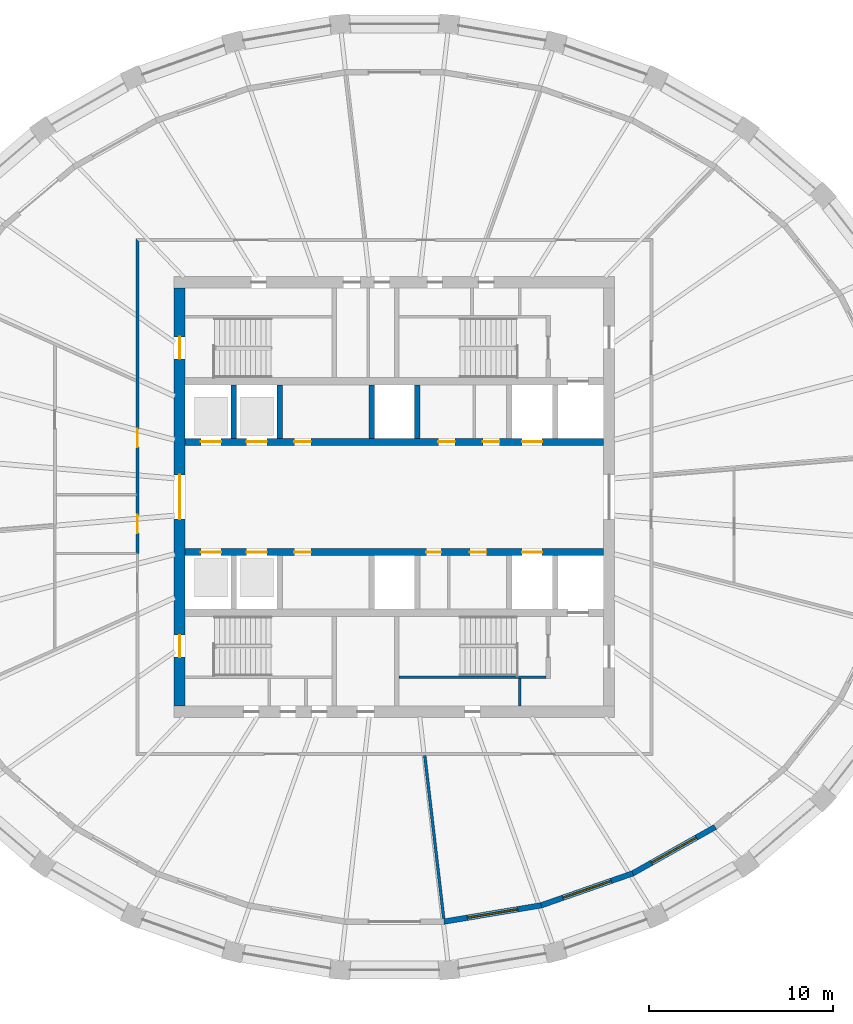
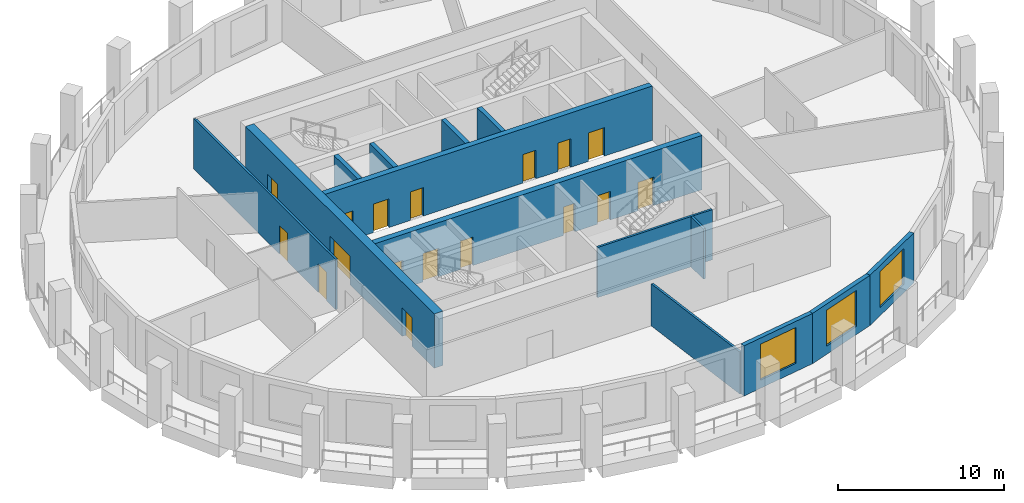
# One storey, part 4 of 10: 17 doors, 14 walls, 3 windows, 20 openings.
"""IFC4 building model written with IfcOpenShell, lengths in metres."""

import ifcopenshell
import ifcopenshell.guid

model = None  # the IFC model being written
_history = None  # IfcOwnerHistory: only IFC2X3 demands one
_inside = {}  # id of a spatial element -> (the spatial element, [elements in it])
_under = {}  # id of a project, library or spatial element -> (it, [spatial elements below it])
_declared = {}  # id of a project -> (the project, [libraries it declares])
_typed = {}  # id of a type object -> (the type object, [elements of that type])
_made_of = {}  # id of a material, layer set ... -> (it, [elements and type objects made of it])


def new_model(schema):
    """Start an empty IFC model of exactly this schema.

    Asked for "IFC4X3", IfcOpenShell would pick the latest addendum, in which some entities
    have other attributes; the version numbers below select the first issue.
    IFC2X3 requires an IfcOwnerHistory on every rooted entity: one is made here for all.
    """
    global model, _history
    if schema == "IFC4X3":
        model = ifcopenshell.file(schema_version=(4, 3, 0, 0))
    else:
        model = ifcopenshell.file(schema=schema)
    _inside.clear()
    _under.clear()
    _declared.clear()
    _typed.clear()
    _made_of.clear()
    _history = None
    if model.schema == "IFC2X3":
        org = make("IfcOrganization", Name="unknown")
        user = make(
            "IfcPersonAndOrganization",
            ThePerson=make("IfcPerson", FamilyName="unknown"),
            TheOrganization=org,
        )
        app = make(
            "IfcApplication",
            ApplicationDeveloper=org,
            Version="unknown",
            ApplicationFullName="unknown",
            ApplicationIdentifier="unknown",
        )
        _history = make(
            "IfcOwnerHistory",
            OwningUser=user,
            OwningApplication=app,
            ChangeAction="ADDED",
            CreationDate=0,
        )
    return model


def make(cls, **values):
    """One entity of the class cls with the attributes given. An attribute that is None is left unset."""
    return model.create_entity(
        cls, **{name: value for name, value in values.items() if value is not None}
    )


def rooted(cls, **values):
    """An entity with a GlobalId (a new one), such as an element, a storey or a relation."""
    return make(cls, GlobalId=ifcopenshell.guid.new(), OwnerHistory=_history, **values)


def si_unit(unit_type, name, prefix=None):
    """IfcSIUnit, for example si_unit("LENGTHUNIT", "METRE", prefix="MILLI")."""
    return make("IfcSIUnit", UnitType=unit_type, Prefix=prefix, Name=name)


def assignment(units):
    """IfcUnitAssignment: the units of a project."""
    return None if units is None else make("IfcUnitAssignment", Units=units)


def point(xyz):
    """IfcCartesianPoint."""
    return None if xyz is None else make("IfcCartesianPoint", Coordinates=xyz)


def direction(xyz):
    """IfcDirection."""
    return None if xyz is None else make("IfcDirection", DirectionRatios=xyz)


def frame(location, z_axis=None, x_axis=None):
    """IfcAxis2Placement3D, a coordinate frame: its origin and axes. An axis left out is left unset."""
    return make(
        "IfcAxis2Placement3D",
        Location=point(location),
        Axis=direction(z_axis),
        RefDirection=direction(x_axis),
    )


def frame_2d(location, x_axis=None):
    """IfcAxis2Placement2D, a coordinate frame in the plane: its origin and x axis."""
    return make(
        "IfcAxis2Placement2D", Location=point(location), RefDirection=direction(x_axis)
    )


def origin():
    """The frame at (0, 0, 0) with its axes left unset."""
    return frame((0.0, 0.0, 0.0))


def place(relative_to, where):
    """IfcLocalPlacement: puts the frame where relative to a parent placement (None: the world)."""
    return make(
        "IfcLocalPlacement", PlacementRelTo=relative_to, RelativePlacement=where
    )


def context(
    kind, dimensions, precision=None, world=None, true_north=None, identifier=None
):
    """IfcGeometricRepresentationContext, for example the 3D "Model" context."""
    return make(
        "IfcGeometricRepresentationContext",
        ContextIdentifier=identifier,
        ContextType=kind,
        CoordinateSpaceDimension=dimensions,
        Precision=precision,
        WorldCoordinateSystem=world,
        TrueNorth=true_north,
    )


def subcontext(parent, identifier, kind, view, scale=None):
    """IfcGeometricRepresentationSubContext, for example "Body" below "Model"."""
    return make(
        "IfcGeometricRepresentationSubContext",
        ContextIdentifier=identifier,
        ContextType=kind,
        ParentContext=parent,
        TargetScale=scale,
        TargetView=view,
    )


def project(units=None, contexts=None):
    """IfcProject with its units and contexts."""
    return rooted(
        "IfcProject",
        Name="project",
        RepresentationContexts=contexts,
        UnitsInContext=assignment(units),
    )


def spatial(cls, under=None, at=None, **own):
    """A site, building, storey or space (cls), placed at a placement, below another one or the project."""
    s = rooted(cls, ObjectPlacement=at, **own)
    if under is not None:
        _under.setdefault(under.id(), (under, []))[1].append(s)
    return s


def polyline(points):
    """IfcPolyline through the points."""
    return make("IfcPolyline", Points=[point(p) for p in points])


def profile(cls, at=None, kind="AREA", **sizes):
    """A parametric profile (cls). Its sizes go by their IFC names, for example OverallWidth=200.0."""
    return make(cls, ProfileType=kind, Position=at, **sizes)


def rectangle(**sizes):
    """IfcRectangleProfileDef."""
    return profile("IfcRectangleProfileDef", **sizes)


def outline(outer, holes=None, kind="AREA"):
    """IfcArbitraryClosedProfileDef: a profile drawn as a closed curve; with holes, ...WithVoids."""
    if holes is None:
        return make("IfcArbitraryClosedProfileDef", ProfileType=kind, OuterCurve=outer)
    return make(
        "IfcArbitraryProfileDefWithVoids",
        ProfileType=kind,
        OuterCurve=outer,
        InnerCurves=holes,
    )


def extrude(swept, where, along, depth):
    """IfcExtrudedAreaSolid: the profile swept, set in the frame where, extruded along a direction by depth."""
    return make(
        "IfcExtrudedAreaSolid",
        SweptArea=swept,
        Position=where,
        ExtrudedDirection=direction(along),
        Depth=depth,
    )


def shape(context_of_items, identifier, shape_type, items):
    """IfcShapeRepresentation: the items that make up one representation, for example the "Body"."""
    return make(
        "IfcShapeRepresentation",
        ContextOfItems=context_of_items,
        RepresentationIdentifier=identifier,
        RepresentationType=shape_type,
        Items=items,
    )


def material(Name=None, Category=None):
    """IfcMaterial."""
    return make("IfcMaterial", Name=Name, Category=Category)


def layer(
    of_material, thickness, ventilated=None, Name=None, Category=None, Priority=None
):
    """IfcMaterialLayer: one layer of a wall or slab, of a material (None: an air gap)."""
    return make(
        "IfcMaterialLayer",
        Material=of_material,
        LayerThickness=thickness,
        IsVentilated=ventilated,
        Name=Name,
        Category=Category,
        Priority=Priority,
    )


def layer_set(layers, Name=None):
    """IfcMaterialLayerSet."""
    return make("IfcMaterialLayerSet", MaterialLayers=layers, LayerSetName=Name)


def made_of(thing, what):
    """Note that an element or type object is made of a material, layer set ...; save() writes the relation."""
    if what is not None:
        _made_of.setdefault(what.id(), (what, []))[1].append(thing)
    return thing


def type_object(cls, material=None, **own):
    """A type object (cls), such as IfcWallType, which elements share."""
    return made_of(rooted(cls, **own), material)


def element(
    cls,
    number,
    at=None,
    inside=None,
    cuts=None,
    type_object=None,
    material=None,
    context=None,
    identifier="Body",
    shape_type=None,
    held_by="IfcProductDefinitionShape",
    body=None,
    shapes=None,
    **own,
):
    """One element of the class cls, such as IfcWall. Its Tag is "e" and its number.

    at: its placement. inside: the storey or other place that contains it. cuts: it is an
    opening in that element (IfcRelVoidsElement). A single representation is given by context,
    identifier, shape_type and body (its items); several are given by shapes. held_by: the class
    of the entity that holds the representations. save() writes the other relations.
    """
    e = rooted(cls, Tag="e%d" % number, ObjectPlacement=at, **own)
    if body is not None:
        shapes = [shape(context, identifier, shape_type, body)]
    if shapes is not None:
        e.Representation = make(held_by, Representations=shapes)
    if inside is not None:
        _inside.setdefault(inside.id(), (inside, []))[1].append(e)
    if cuts is not None:
        rooted(
            "IfcRelVoidsElement", RelatingBuildingElement=cuts, RelatedOpeningElement=e
        )
    if type_object is not None:
        _typed.setdefault(type_object.id(), (type_object, []))[1].append(e)
    return made_of(e, material)


def fill(opening, filler):
    """IfcRelFillsElement: the door or window that sits in an opening."""
    return rooted(
        "IfcRelFillsElement",
        RelatingOpeningElement=opening,
        RelatedBuildingElement=filler,
    )


def aggregate(whole, parts):
    """IfcRelAggregates: a whole, such as a stair, and the parts it consists of."""
    return rooted("IfcRelAggregates", RelatingObject=whole, RelatedObjects=parts)


def save(model, path):
    """Write the relations noted so far, then the file.

    IfcRelAggregates (storeys below a building ...), IfcRelContainedInSpatialStructure (elements
    in a storey), IfcRelDefinesByType, IfcRelAssociatesMaterial and IfcRelDeclares: one each for
    every whole, place, type object, material and project.
    """
    for whole, parts in _under.values():
        aggregate(whole, parts)
    for where, things in _inside.values():
        rooted(
            "IfcRelContainedInSpatialStructure",
            RelatedElements=things,
            RelatingStructure=where,
        )
    for kind, things in _typed.values():
        rooted("IfcRelDefinesByType", RelatedObjects=things, RelatingType=kind)
    for what, things in _made_of.values():
        rooted("IfcRelAssociatesMaterial", RelatedObjects=things, RelatingMaterial=what)
    for by, libraries in _declared.values():
        rooted("IfcRelDeclares", RelatingContext=by, RelatedDefinitions=libraries)
    model.write(path)


model = new_model("IFC4")

# Units and contexts
model_context = context("Model", 3, precision=1e-05, world=origin(), true_north=direction((0.0, 1.0)))
body_context = subcontext(model_context, "Body", "Model", "MODEL_VIEW")
ifc_project = project(units=[si_unit("LENGTHUNIT", "METRE"), si_unit("AREAUNIT", "SQUARE_METRE"), si_unit("VOLUMEUNIT", "CUBIC_METRE"), si_unit("PLANEANGLEUNIT", "RADIAN"), si_unit("MASSUNIT", "GRAM", prefix="KILO")], contexts=[model_context])

# Site, building, storey
site_placement = place(None, origin())
site = spatial("IfcSite", under=ifc_project, at=site_placement, CompositionType="ELEMENT")
building_placement = place(site_placement, origin())
building = spatial("IfcBuilding", under=site, at=building_placement, Name="Halqa Exchange Tower", CompositionType="ELEMENT")
storey_placement = place(building_placement, frame((0.0, 0.0, 256.300048828125)))
storey = spatial("IfcBuildingStorey", under=building, at=storey_placement, Name="L59", CompositionType="ELEMENT", Elevation=256.300048828125)

# Wall, openings, doors
ifc_material_1 = material(Name="Fire-rated gypsum board")
ifc_layer_1 = layer(ifc_material_1, 0.14990234375)
ifc_layer_set_1 = layer_set([ifc_layer_1], Name="Fire-rated gypsum board")
wall_type_1 = type_object("IfcWallType", Name="Fire partition EI 60 150", PredefinedType="PARTITIONING", material=ifc_layer_set_1)
wall_1_placement = place(storey_placement, frame((-14.0, -3.080078125, 0.0), z_axis=(0.0, 0.0, 1.0), x_axis=(0.0, 1.0, 0.0)))
wall_1 = element("IfcWall", 1, at=wall_1_placement, inside=storey, type_object=wall_type_1, Name="L59-PWL-010", PredefinedType="PARTITIONING", context=body_context, shape_type="SweptSolid", body=[
    extrude(outline(polyline([(0.0, -0.074951171875), (1.889404296875, -0.074951171875), (3.77880859375, -0.074951171875), (5.66845703125, -0.074951171875), (7.557861328125, -0.074951171875), (9.447265625, -0.074951171875), (11.336669921875, -0.074951171875), (13.226318359375, -0.074951171875), (15.11572265625, -0.074951171875), (17.005126953125, -0.074951171875), (17.155029296875, 0.074951171875), (15.2490234375, 0.074951171875), (13.3427734375, 0.074951171875), (11.436767578125, 0.074951171875), (9.530517578125, 0.074951171875), (7.62451171875, 0.074951171875), (5.71826171875, 0.074951171875), (3.812255859375, 0.074951171875), (1.906005859375, 0.074951171875), (0.0, 0.074951171875), (0.0, -0.074951171875)])), origin(), (0.0, 0.0, 1.0), 3.699951171875),
])
opening_1_placement = place(wall_1_placement, frame((5.794921875, 0.0, 0.0)))
opening_1 = element("IfcOpeningElement", 2, at=opening_1_placement, cuts=wall_1, Name="Opening 18-07", PredefinedType="OPENING", context=body_context, shape_type="SweptSolid", body=[
    extrude(rectangle(XDim=1.0, YDim=2.10009765625, at=frame_2d((0.5, 1.050048828125))), frame((0.0, 0.0869140625, 0.0), z_axis=(0.0, -1.0, 0.0), x_axis=(1.0, 0.0, 0.0)), (0.0, 0.0, 1.0), 0.173828125),
])
opening_2_placement = place(wall_1_placement, frame((1.10498046875, 0.0, 0.0)))
opening_2 = element("IfcOpeningElement", 3, at=opening_2_placement, cuts=wall_1, Name="Opening 18-08", PredefinedType="OPENING", context=body_context, shape_type="SweptSolid", body=[
    extrude(rectangle(XDim=1.0, YDim=2.10009765625, at=frame_2d((0.5, 1.050048828125))), frame((0.0, 0.0869140625, 0.0), z_axis=(0.0, -1.0, 0.0), x_axis=(1.0, 0.0, 0.0)), (0.0, 0.0, 1.0), 0.173828125),
])
ifc_material_2 = material(Name="Steel fire door leaf", Category="steel")
door_type_1 = type_object("IfcDoorType", Name="Fire door FD30S 1000 x 2100", OperationType="SINGLE_SWING_LEFT", PredefinedType="DOOR", material=ifc_material_2)
door_1_placement = place(opening_1_placement, origin())
door_1 = element("IfcDoor", 4, at=door_1_placement, inside=storey, type_object=door_type_1, Name="L59-IDR-007", OperationType="SINGLE_SWING_RIGHT", OverallHeight=2.10009765625, OverallWidth=1.0, PredefinedType="DOOR", context=body_context, shape_type="SweptSolid", body=[
    extrude(rectangle(XDim=1.0, YDim=2.10009765625, at=frame_2d((0.5, 1.050048828125))), frame((0.0, 0.02490234375, 0.0), z_axis=(0.0, -1.0, 0.0), x_axis=(1.0, 0.0, 0.0)), (0.0, 0.0, 1.0), 0.050048828125),
])
fill(opening_1, door_1)
door_2_placement = place(opening_2_placement, origin())
door_2 = element("IfcDoor", 5, at=door_2_placement, inside=storey, type_object=door_type_1, Name="L59-IDR-008", OperationType="SINGLE_SWING_LEFT", OverallHeight=2.10009765625, OverallWidth=1.0, PredefinedType="DOOR", context=body_context, shape_type="SweptSolid", body=[
    extrude(rectangle(XDim=1.0, YDim=2.10009765625, at=frame_2d((0.5, 1.050048828125))), frame((0.0, 0.02490234375, 0.0), z_axis=(0.0, -1.0, 0.0), x_axis=(1.0, 0.0, 0.0)), (0.0, 0.0, 1.0), 0.050048828125),
])
fill(opening_2, door_2)

# Walls
wall_2_placement = place(storey_placement, frame((2.68505859375, -22.9794921875, 0.0), z_axis=(0.0, 0.0, 1.0), x_axis=(-0.115608238976, 0.993294888279, 0.0)))
element("IfcWall", 6, at=wall_2_placement, inside=storey, type_object=wall_type_1, Name="L59-PWL-014", PredefinedType="PARTITIONING", context=body_context, shape_type="SweptSolid", body=[
    extrude(outline(polyline([(0.0, -0.074951171875), (1.791259765625, -0.074951171875), (3.582275390625, -0.074951171875), (5.37353515625, -0.074951171875), (7.164794921875, -0.074951171875), (8.955810546875, -0.074951171875), (8.972900390625, 0.0712890625), (8.972900390625, 0.074951171875), (7.17919921875, 0.074951171875), (5.385498046875, 0.074951171875), (3.592041015625, 0.074951171875), (1.79833984375, 0.074951171875), (0.004638671875, 0.074951171875), (0.0, 0.03466796875), (0.0, -0.074951171875)])), origin(), (0.0, 0.0, 1.0), 3.099853515625),
])
ifc_material_3 = material(Name="Gypsum board")
ifc_layer_2 = layer(ifc_material_3, 0.14990234375)
ifc_layer_set_2 = layer_set([ifc_layer_2], Name="Gypsum board")
wall_type_2 = type_object("IfcWallType", Name="Penthouse riser wall 150 gypsum", PredefinedType="PARTITIONING", material=ifc_layer_set_2)
wall_3_placement = place(storey_placement, frame((6.824951171875, -11.39990234375, 0.0), z_axis=(0.0, 0.0, 1.0), x_axis=(0.0, 1.0, 0.0)))
element("IfcWall", 7, at=wall_3_placement, inside=storey, type_object=wall_type_2, Name="Firefighting lobby west wall S", PredefinedType="PARTITIONING", context=body_context, shape_type="SweptSolid", body=[
    extrude(rectangle(XDim=1.5, YDim=0.14990234375, at=frame_2d((0.75, 0.0))), origin(), (0.0, 0.0, 1.0), 3.699951171875),
])
ifc_material_4 = material(Name="Concrete C60/75", Category="concrete")
ifc_layer_3 = layer(ifc_material_4, 0.300048828125)
ifc_layer_set_3 = layer_set([ifc_layer_3], Name="Concrete C60/75")
wall_type_3 = type_object("IfcWallType", Name="RC core wall 300", PredefinedType="SHEAR", material=ifc_layer_set_3)
for number, where, z_axis, x_axis, name in (
    (8, (-8.75, 3.199951171875, 0.0), (0.0, 0.0, 1.0), (0.0, 1.0, 0.0), "Shaft divider N1"),
    (9, (-6.25, 3.199951171875, 0.0), (0.0, 0.0, 1.0), (0.0, 1.0, 0.0), "Shaft divider N2"),
    (10, (-1.25, 3.199951171875, 0.0), (0.0, 0.0, 1.0), (0.0, 1.0, 0.0), "Shaft divider N4"),
    (11, (1.25, 3.199951171875, 0.0), (0.0, 0.0, 1.0), (0.0, 1.0, 0.0), "Shaft divider N5"),
):
    element("IfcWall", number, at=place(storey_placement, frame(where, z_axis=z_axis, x_axis=x_axis)), inside=storey, type_object=wall_type_3, Name=name, PredefinedType="SHEAR", context=body_context, shape_type="SweptSolid", body=[
        extrude(rectangle(XDim=2.900146484375, YDim=0.300048828125, at=frame_2d((1.4501953125, 0.0))), origin(), (0.0, 0.0, 1.0), 4.0),
    ])

# Wall, openings, doors
ifc_layer_4 = layer(ifc_material_4, 0.39990234375)
ifc_layer_set_4 = layer_set([ifc_layer_4], Name="Concrete C60/75")
wall_type_4 = type_object("IfcWallType", Name="RC core wall 400 C60/75", PredefinedType="SHEAR", material=ifc_layer_set_4)
wall_4_placement = place(storey_placement, frame((-11.39990234375, 3.0, 0.0), z_axis=(0.0, 0.0, 1.0), x_axis=(1.0, 0.0, 0.0)))
wall_4 = element("IfcWall", 12, at=wall_4_placement, inside=storey, type_object=wall_type_4, Name="Lift row front wall N", PredefinedType="SHEAR", context=body_context, shape_type="SweptSolid", body=[
    extrude(rectangle(XDim=22.7998046875, YDim=0.39990234375, at=frame_2d((11.39990234375, 0.0))), origin(), (0.0, 0.0, 1.0), 4.0),
])
opening_3_placement = place(wall_4_placement, frame((0.85009765625, 0.0, 0.0)))
opening_3 = element("IfcOpeningElement", 13, at=opening_3_placement, cuts=wall_4, Name="Opening LD-HR1-T18", PredefinedType="OPENING", context=body_context, shape_type="SweptSolid", body=[
    extrude(rectangle(XDim=1.10009765625, YDim=2.10009765625, at=frame_2d((0.550048828125, 1.050048828125))), frame((0.0, 0.2119140625, 0.0), z_axis=(0.0, -1.0, 0.0), x_axis=(1.0, 0.0, 0.0)), (0.0, 0.0, 1.0), 0.423828125),
])
opening_4_placement = place(wall_4_placement, frame((3.35009765625, 0.0, 0.0)))
opening_4 = element("IfcOpeningElement", 14, at=opening_4_placement, cuts=wall_4, Name="Opening LD-HR2-T18", PredefinedType="OPENING", context=body_context, shape_type="SweptSolid", body=[
    extrude(rectangle(XDim=1.10009765625, YDim=2.10009765625, at=frame_2d((0.550048828125, 1.050048828125))), frame((0.0, 0.2119140625, 0.0), z_axis=(0.0, -1.0, 0.0), x_axis=(1.0, 0.0, 0.0)), (0.0, 0.0, 1.0), 0.423828125),
])
opening_5_placement = place(wall_4_placement, frame((18.35009765625, 0.0, 0.0)))
opening_5 = element("IfcOpeningElement", 15, at=opening_5_placement, cuts=wall_4, Name="Opening LD-SV1-T18", PredefinedType="OPENING", context=body_context, shape_type="SweptSolid", body=[
    extrude(rectangle(XDim=1.10009765625, YDim=2.10009765625, at=frame_2d((0.550048828125, 1.050048828125))), frame((0.0, 0.2119140625, 0.0), z_axis=(0.0, -1.0, 0.0), x_axis=(1.0, 0.0, 0.0)), (0.0, 0.0, 1.0), 0.423828125),
])
opening_6_placement = place(wall_4_placement, frame((13.78759765625, 0.0, 0.0)))
opening_6 = element("IfcOpeningElement", 16, at=opening_6_placement, cuts=wall_4, Name="Opening T18-C27", PredefinedType="OPENING", context=body_context, shape_type="SweptSolid", body=[
    extrude(rectangle(XDim=0.89990234375, YDim=2.10009765625, at=frame_2d((0.449951171875, 1.050048828125))), frame((0.0, 0.2119140625, 0.0), z_axis=(0.0, -1.0, 0.0), x_axis=(1.0, 0.0, 0.0)), (0.0, 0.0, 1.0), 0.423828125),
])
opening_7_placement = place(wall_4_placement, frame((16.21240234375, 0.0, 0.0)))
opening_7 = element("IfcOpeningElement", 17, at=opening_7_placement, cuts=wall_4, Name="Opening T18-C28", PredefinedType="OPENING", context=body_context, shape_type="SweptSolid", body=[
    extrude(rectangle(XDim=0.89990234375, YDim=2.10009765625, at=frame_2d((0.449951171875, 1.050048828125))), frame((0.0, 0.2119140625, 0.0), z_axis=(0.0, -1.0, 0.0), x_axis=(1.0, 0.0, 0.0)), (0.0, 0.0, 1.0), 0.423828125),
])
opening_8_placement = place(wall_4_placement, frame((5.949951171875, 0.0, 0.0)))
opening_8 = element("IfcOpeningElement", 18, at=opening_8_placement, cuts=wall_4, Name="Opening T18-C29", PredefinedType="OPENING", context=body_context, shape_type="SweptSolid", body=[
    extrude(rectangle(XDim=0.89990234375, YDim=2.10009765625, at=frame_2d((0.449951171875, 1.050048828125))), frame((0.0, 0.2119140625, 0.0), z_axis=(0.0, -1.0, 0.0), x_axis=(1.0, 0.0, 0.0)), (0.0, 0.0, 1.0), 0.423828125),
])
ifc_material_5 = material(Name="Timber fire door leaf", Category="wood")
door_type_2 = type_object("IfcDoorType", Name="Core room door FD30 900 x 2100", OperationType="SINGLE_SWING_LEFT", PredefinedType="DOOR", material=ifc_material_5)
door_3_placement = place(opening_6_placement, origin())
door_3 = element("IfcDoor", 19, at=door_3_placement, inside=storey, type_object=door_type_2, Name="Core room door", OperationType="SINGLE_SWING_LEFT", OverallHeight=2.10009765625, OverallWidth=0.89990234375, PredefinedType="DOOR", context=body_context, shape_type="SweptSolid", body=[
    extrude(rectangle(XDim=0.89990234375, YDim=2.10009765625, at=frame_2d((0.449951171875, 1.050048828125))), frame((0.0, 0.02490234375, 0.0), z_axis=(0.0, -1.0, 0.0), x_axis=(1.0, 0.0, 0.0)), (0.0, 0.0, 1.0), 0.050048828125),
])
fill(opening_6, door_3)
door_4_placement = place(opening_7_placement, origin())
door_4 = element("IfcDoor", 20, at=door_4_placement, inside=storey, type_object=door_type_2, Name="Core room door", OperationType="SINGLE_SWING_RIGHT", OverallHeight=2.10009765625, OverallWidth=0.89990234375, PredefinedType="DOOR", context=body_context, shape_type="SweptSolid", body=[
    extrude(rectangle(XDim=0.89990234375, YDim=2.10009765625, at=frame_2d((0.449951171875, 1.050048828125))), frame((0.0, 0.02490234375, 0.0), z_axis=(0.0, -1.0, 0.0), x_axis=(1.0, 0.0, 0.0)), (0.0, 0.0, 1.0), 0.050048828125),
])
fill(opening_7, door_4)
door_5_placement = place(opening_8_placement, origin())
door_5 = element("IfcDoor", 21, at=door_5_placement, inside=storey, type_object=door_type_2, Name="Core room door", OperationType="SINGLE_SWING_RIGHT", OverallHeight=2.10009765625, OverallWidth=0.89990234375, PredefinedType="DOOR", context=body_context, shape_type="SweptSolid", body=[
    extrude(rectangle(XDim=0.89990234375, YDim=2.10009765625, at=frame_2d((0.449951171875, 1.050048828125))), frame((0.0, 0.02490234375, 0.0), z_axis=(0.0, -1.0, 0.0), x_axis=(1.0, 0.0, 0.0)), (0.0, 0.0, 1.0), 0.050048828125),
])
fill(opening_8, door_5)
ifc_material_6 = material(Name="Stainless steel", Category="steel")
door_type_3 = type_object("IfcDoorType", Name="Lift landing door 1100 x 2100", OperationType="SLIDING_TO_LEFT", PredefinedType="DOOR", material=ifc_material_6)
door_6_placement = place(opening_3_placement, origin())
door_6 = element("IfcDoor", 22, at=door_6_placement, inside=storey, type_object=door_type_3, Name="Lift landing door HR1", OperationType="SLIDING_TO_LEFT", OverallHeight=2.10009765625, OverallWidth=1.10009765625, PredefinedType="DOOR", context=body_context, shape_type="SweptSolid", body=[
    extrude(rectangle(XDim=1.10009765625, YDim=2.10009765625, at=frame_2d((0.550048828125, 1.050048828125))), frame((0.0, 0.02490234375, 0.0), z_axis=(0.0, -1.0, 0.0), x_axis=(1.0, 0.0, 0.0)), (0.0, 0.0, 1.0), 0.050048828125),
])
fill(opening_3, door_6)
door_7_placement = place(opening_4_placement, origin())
door_7 = element("IfcDoor", 23, at=door_7_placement, inside=storey, type_object=door_type_3, Name="Lift landing door HR2", OperationType="SLIDING_TO_LEFT", OverallHeight=2.10009765625, OverallWidth=1.10009765625, PredefinedType="DOOR", context=body_context, shape_type="SweptSolid", body=[
    extrude(rectangle(XDim=1.10009765625, YDim=2.10009765625, at=frame_2d((0.550048828125, 1.050048828125))), frame((0.0, 0.02490234375, 0.0), z_axis=(0.0, -1.0, 0.0), x_axis=(1.0, 0.0, 0.0)), (0.0, 0.0, 1.0), 0.050048828125),
])
fill(opening_4, door_7)
door_8_placement = place(opening_5_placement, origin())
door_8 = element("IfcDoor", 24, at=door_8_placement, inside=storey, type_object=door_type_3, Name="Lift landing door SV1", OperationType="SLIDING_TO_LEFT", OverallHeight=2.10009765625, OverallWidth=1.10009765625, PredefinedType="DOOR", context=body_context, shape_type="SweptSolid", body=[
    extrude(rectangle(XDim=1.10009765625, YDim=2.10009765625, at=frame_2d((0.550048828125, 1.050048828125))), frame((0.0, 0.02490234375, 0.0), z_axis=(0.0, -1.0, 0.0), x_axis=(1.0, 0.0, 0.0)), (0.0, 0.0, 1.0), 0.050048828125),
])
fill(opening_5, door_8)

wall_5_placement = place(storey_placement, frame((-11.39990234375, -3.0, 0.0), z_axis=(0.0, 0.0, 1.0), x_axis=(1.0, 0.0, 0.0)))
wall_5 = element("IfcWall", 25, at=wall_5_placement, inside=storey, type_object=wall_type_4, Name="Lift row front wall S", PredefinedType="SHEAR", context=body_context, shape_type="SweptSolid", body=[
    extrude(rectangle(XDim=22.7998046875, YDim=0.39990234375, at=frame_2d((11.39990234375, 0.0))), origin(), (0.0, 0.0, 1.0), 4.0),
])
opening_9_placement = place(wall_5_placement, frame((0.85009765625, 0.0, 0.0)))
opening_9 = element("IfcOpeningElement", 26, at=opening_9_placement, cuts=wall_5, Name="Opening LD-HR3-T18", PredefinedType="OPENING", context=body_context, shape_type="SweptSolid", body=[
    extrude(rectangle(XDim=1.10009765625, YDim=2.10009765625, at=frame_2d((0.550048828125, 1.050048828125))), frame((0.0, 0.2119140625, 0.0), z_axis=(0.0, -1.0, 0.0), x_axis=(1.0, 0.0, 0.0)), (0.0, 0.0, 1.0), 0.423828125),
])
opening_10_placement = place(wall_5_placement, frame((3.35009765625, 0.0, 0.0)))
opening_10 = element("IfcOpeningElement", 27, at=opening_10_placement, cuts=wall_5, Name="Opening LD-HR4-T18", PredefinedType="OPENING", context=body_context, shape_type="SweptSolid", body=[
    extrude(rectangle(XDim=1.10009765625, YDim=2.10009765625, at=frame_2d((0.550048828125, 1.050048828125))), frame((0.0, 0.2119140625, 0.0), z_axis=(0.0, -1.0, 0.0), x_axis=(1.0, 0.0, 0.0)), (0.0, 0.0, 1.0), 0.423828125),
])
opening_11_placement = place(wall_5_placement, frame((18.35009765625, 0.0, 0.0)))
opening_11 = element("IfcOpeningElement", 28, at=opening_11_placement, cuts=wall_5, Name="Opening LD-SV2-T18", PredefinedType="OPENING", context=body_context, shape_type="SweptSolid", body=[
    extrude(rectangle(XDim=1.10009765625, YDim=2.10009765625, at=frame_2d((0.550048828125, 1.050048828125))), frame((0.0, 0.2119140625, 0.0), z_axis=(0.0, -1.0, 0.0), x_axis=(1.0, 0.0, 0.0)), (0.0, 0.0, 1.0), 0.423828125),
])
opening_12_placement = place(wall_5_placement, frame((13.137451171875, 0.0, 0.0)))
opening_12 = element("IfcOpeningElement", 29, at=opening_12_placement, cuts=wall_5, Name="Opening T18-C30", PredefinedType="OPENING", context=body_context, shape_type="SweptSolid", body=[
    extrude(rectangle(XDim=0.800048828125, YDim=2.10009765625, at=frame_2d((0.39990234375, 1.050048828125))), frame((0.0, 0.2119140625, 0.0), z_axis=(0.0, -1.0, 0.0), x_axis=(1.0, 0.0, 0.0)), (0.0, 0.0, 1.0), 0.423828125),
])
opening_13_placement = place(wall_5_placement, frame((15.512451171875, 0.0, 0.0)))
opening_13 = element("IfcOpeningElement", 30, at=opening_13_placement, cuts=wall_5, Name="Opening T18-C31", PredefinedType="OPENING", context=body_context, shape_type="SweptSolid", body=[
    extrude(rectangle(XDim=0.89990234375, YDim=2.10009765625, at=frame_2d((0.449951171875, 1.050048828125))), frame((0.0, 0.2119140625, 0.0), z_axis=(0.0, -1.0, 0.0), x_axis=(1.0, 0.0, 0.0)), (0.0, 0.0, 1.0), 0.423828125),
])
opening_14_placement = place(wall_5_placement, frame((5.949951171875, 0.0, 0.0)))
opening_14 = element("IfcOpeningElement", 31, at=opening_14_placement, cuts=wall_5, Name="Opening T18-C32", PredefinedType="OPENING", context=body_context, shape_type="SweptSolid", body=[
    extrude(rectangle(XDim=0.89990234375, YDim=2.10009765625, at=frame_2d((0.449951171875, 1.050048828125))), frame((0.0, 0.2119140625, 0.0), z_axis=(0.0, -1.0, 0.0), x_axis=(1.0, 0.0, 0.0)), (0.0, 0.0, 1.0), 0.423828125),
])
door_9_placement = place(opening_13_placement, frame((0.89990234375, 0.0, 0.0), z_axis=(0.0, 0.0, 1.0), x_axis=(-1.0, 0.0, 0.0)))
door_9 = element("IfcDoor", 32, at=door_9_placement, inside=storey, type_object=door_type_2, Name="Core room door", OperationType="SINGLE_SWING_RIGHT", OverallHeight=2.10009765625, OverallWidth=0.89990234375, PredefinedType="DOOR", context=body_context, shape_type="SweptSolid", body=[
    extrude(rectangle(XDim=0.89990234375, YDim=2.10009765625, at=frame_2d((0.449951171875, 1.050048828125))), frame((0.0, 0.02490234375, 0.0), z_axis=(0.0, -1.0, 0.0), x_axis=(1.0, 0.0, 0.0)), (0.0, 0.0, 1.0), 0.050048828125),
])
fill(opening_13, door_9)
door_10_placement = place(opening_14_placement, frame((0.89990234375, 0.0, 0.0), z_axis=(0.0, 0.0, 1.0), x_axis=(-1.0, 0.0, 0.0)))
door_10 = element("IfcDoor", 33, at=door_10_placement, inside=storey, type_object=door_type_2, Name="Core room door", OperationType="SINGLE_SWING_LEFT", OverallHeight=2.10009765625, OverallWidth=0.89990234375, PredefinedType="DOOR", context=body_context, shape_type="SweptSolid", body=[
    extrude(rectangle(XDim=0.89990234375, YDim=2.10009765625, at=frame_2d((0.449951171875, 1.050048828125))), frame((0.0, 0.02490234375, 0.0), z_axis=(0.0, -1.0, 0.0), x_axis=(1.0, 0.0, 0.0)), (0.0, 0.0, 1.0), 0.050048828125),
])
fill(opening_14, door_10)
door_11_placement = place(opening_9_placement, origin())
door_11 = element("IfcDoor", 34, at=door_11_placement, inside=storey, type_object=door_type_3, Name="Lift landing door HR3", OperationType="SLIDING_TO_LEFT", OverallHeight=2.10009765625, OverallWidth=1.10009765625, PredefinedType="DOOR", context=body_context, shape_type="SweptSolid", body=[
    extrude(rectangle(XDim=1.10009765625, YDim=2.10009765625, at=frame_2d((0.550048828125, 1.050048828125))), frame((0.0, 0.02490234375, 0.0), z_axis=(0.0, -1.0, 0.0), x_axis=(1.0, 0.0, 0.0)), (0.0, 0.0, 1.0), 0.050048828125),
])
fill(opening_9, door_11)
door_12_placement = place(opening_10_placement, origin())
door_12 = element("IfcDoor", 35, at=door_12_placement, inside=storey, type_object=door_type_3, Name="Lift landing door HR4", OperationType="SLIDING_TO_LEFT", OverallHeight=2.10009765625, OverallWidth=1.10009765625, PredefinedType="DOOR", context=body_context, shape_type="SweptSolid", body=[
    extrude(rectangle(XDim=1.10009765625, YDim=2.10009765625, at=frame_2d((0.550048828125, 1.050048828125))), frame((0.0, 0.02490234375, 0.0), z_axis=(0.0, -1.0, 0.0), x_axis=(1.0, 0.0, 0.0)), (0.0, 0.0, 1.0), 0.050048828125),
])
fill(opening_10, door_12)
door_13_placement = place(opening_11_placement, origin())
door_13 = element("IfcDoor", 36, at=door_13_placement, inside=storey, type_object=door_type_3, Name="Lift landing door SV2", OperationType="SLIDING_TO_LEFT", OverallHeight=2.10009765625, OverallWidth=1.10009765625, PredefinedType="DOOR", context=body_context, shape_type="SweptSolid", body=[
    extrude(rectangle(XDim=1.10009765625, YDim=2.10009765625, at=frame_2d((0.550048828125, 1.050048828125))), frame((0.0, 0.02490234375, 0.0), z_axis=(0.0, -1.0, 0.0), x_axis=(1.0, 0.0, 0.0)), (0.0, 0.0, 1.0), 0.050048828125),
])
fill(opening_11, door_13)
door_type_4 = type_object("IfcDoorType", Name="Riser door FD60 800 x 2100", OperationType="SINGLE_SWING_LEFT", PredefinedType="DOOR", material=ifc_material_2)
door_14_placement = place(opening_12_placement, frame((0.800048828125, 0.0, 0.0), z_axis=(0.0, 0.0, 1.0), x_axis=(-1.0, 0.0, 0.0)))
door_14 = element("IfcDoor", 37, at=door_14_placement, inside=storey, type_object=door_type_4, Name="Core room door", OperationType="SINGLE_SWING_RIGHT", OverallHeight=2.10009765625, OverallWidth=0.800048828125, PredefinedType="DOOR", context=body_context, shape_type="SweptSolid", body=[
    extrude(rectangle(XDim=0.800048828125, YDim=2.10009765625, at=frame_2d((0.39990234375, 1.050048828125))), frame((0.0, 0.02490234375, 0.0), z_axis=(0.0, -1.0, 0.0), x_axis=(1.0, 0.0, 0.0)), (0.0, 0.0, 1.0), 0.050048828125),
])
fill(opening_12, door_14)

ifc_layer_5 = layer(ifc_material_4, 0.60009765625)
ifc_layer_set_5 = layer_set([ifc_layer_5], Name="Concrete C60/75")
wall_type_5 = type_object("IfcWallType", Name="RC core wall 600 C60/75", PredefinedType="SHEAR", material=ifc_layer_set_5)
wall_6_placement = place(storey_placement, frame((-11.699951171875, -11.39990234375, 0.0), z_axis=(0.0, 0.0, 1.0), x_axis=(0.0, 1.0, 0.0)))
wall_6 = element("IfcWall", 38, at=wall_6_placement, inside=storey, type_object=wall_type_5, Name="Core wall west", PredefinedType="SHEAR", context=body_context, shape_type="SweptSolid", body=[
    extrude(rectangle(XDim=22.7998046875, YDim=0.60009765625, at=frame_2d((11.39990234375, 0.0))), origin(), (0.0, 0.0, 1.0), 4.0),
])
opening_15_placement = place(wall_6_placement, frame((10.199951171875, 0.0, 0.0)))
opening_15 = element("IfcOpeningElement", 39, at=opening_15_placement, cuts=wall_6, Name="Opening T18-C09", PredefinedType="OPENING", context=body_context, shape_type="SweptSolid", body=[
    extrude(rectangle(XDim=2.39990234375, YDim=2.10009765625, at=frame_2d((1.199951171875, 1.050048828125))), frame((0.0, 0.31201171875, 0.0), z_axis=(0.0, -1.0, 0.0), x_axis=(1.0, 0.0, 0.0)), (0.0, 0.0, 1.0), 0.6240234375),
])
opening_16_placement = place(wall_6_placement, frame((18.925048828125, 0.0, 0.0)))
opening_16 = element("IfcOpeningElement", 40, at=opening_16_placement, cuts=wall_6, Name="Opening T18-C11", PredefinedType="OPENING", context=body_context, shape_type="SweptSolid", body=[
    extrude(rectangle(XDim=1.199951171875, YDim=2.10009765625, at=frame_2d((0.60009765625, 1.050048828125))), frame((0.0, 0.31201171875, 0.0), z_axis=(0.0, -1.0, 0.0), x_axis=(1.0, 0.0, 0.0)), (0.0, 0.0, 1.0), 0.6240234375),
])
opening_17_placement = place(wall_6_placement, frame((2.675048828125, 0.0, 0.0)))
opening_17 = element("IfcOpeningElement", 41, at=opening_17_placement, cuts=wall_6, Name="Opening T18-C13", PredefinedType="OPENING", context=body_context, shape_type="SweptSolid", body=[
    extrude(rectangle(XDim=1.199951171875, YDim=2.10009765625, at=frame_2d((0.60009765625, 1.050048828125))), frame((0.0, 0.31201171875, 0.0), z_axis=(0.0, -1.0, 0.0), x_axis=(1.0, 0.0, 0.0)), (0.0, 0.0, 1.0), 0.6240234375),
])
door_type_5 = type_object("IfcDoorType", Name="Lobby double door FD60 2400 x 2100", OperationType="DOUBLE_DOOR_SINGLE_SWING", PredefinedType="DOOR", material=ifc_material_2)
door_15_placement = place(opening_15_placement, frame((2.39990234375, 0.0, 0.0), z_axis=(0.0, 0.0, 1.0), x_axis=(-1.0, 0.0, 0.0)))
door_15 = element("IfcDoor", 42, at=door_15_placement, inside=storey, type_object=door_type_5, Name="Lift lobby double door", OperationType="DOUBLE_DOOR_SINGLE_SWING", OverallHeight=2.10009765625, OverallWidth=2.39990234375, PredefinedType="DOOR", context=body_context, shape_type="SweptSolid", body=[
    extrude(rectangle(XDim=2.39990234375, YDim=2.10009765625, at=frame_2d((1.199951171875, 1.050048828125))), frame((0.0, 0.02490234375, 0.0), z_axis=(0.0, -1.0, 0.0), x_axis=(1.0, 0.0, 0.0)), (0.0, 0.0, 1.0), 0.050048828125),
])
fill(opening_15, door_15)
door_type_6 = type_object("IfcDoorType", Name="Stair door FD90 1200 x 2100", OperationType="SINGLE_SWING_LEFT", PredefinedType="DOOR", material=ifc_material_2)
door_16_placement = place(opening_16_placement, frame((1.199951171875, 0.0, 0.0), z_axis=(0.0, 0.0, 1.0), x_axis=(-1.0, 0.0, 0.0)))
door_16 = element("IfcDoor", 43, at=door_16_placement, inside=storey, type_object=door_type_6, Name="Stair door ST1", OperationType="SINGLE_SWING_RIGHT", OverallHeight=2.10009765625, OverallWidth=1.199951171875, PredefinedType="DOOR", context=body_context, shape_type="SweptSolid", body=[
    extrude(rectangle(XDim=1.199951171875, YDim=2.10009765625, at=frame_2d((0.60009765625, 1.050048828125))), frame((0.0, 0.02490234375, 0.0), z_axis=(0.0, -1.0, 0.0), x_axis=(1.0, 0.0, 0.0)), (0.0, 0.0, 1.0), 0.050048828125),
])
fill(opening_16, door_16)
door_17_placement = place(opening_17_placement, frame((1.199951171875, 0.0, 0.0), z_axis=(0.0, 0.0, 1.0), x_axis=(-1.0, 0.0, 0.0)))
door_17 = element("IfcDoor", 44, at=door_17_placement, inside=storey, type_object=door_type_6, Name="Stair door ST3", OperationType="SINGLE_SWING_RIGHT", OverallHeight=2.10009765625, OverallWidth=1.199951171875, PredefinedType="DOOR", context=body_context, shape_type="SweptSolid", body=[
    extrude(rectangle(XDim=1.199951171875, YDim=2.10009765625, at=frame_2d((0.60009765625, 1.050048828125))), frame((0.0, 0.02490234375, 0.0), z_axis=(0.0, -1.0, 0.0), x_axis=(1.0, 0.0, 0.0)), (0.0, 0.0, 1.0), 0.050048828125),
])
fill(opening_17, door_17)

# Wall
ifc_material_7 = material(Name="Concrete C30/37", Category="concrete")
ifc_layer_6 = layer(ifc_material_7, 0.14990234375)
ifc_layer_set_6 = layer_set([ifc_layer_6], Name="Concrete C30/37")
wall_type_6 = type_object("IfcWallType", Name="RC stair wall 150 C30/37", PredefinedType="SHEAR", material=ifc_layer_set_6)
wall_7_placement = place(storey_placement, frame((0.25, -9.824951171875, 0.0), z_axis=(0.0, 0.0, 1.0), x_axis=(1.0, 0.0, 0.0)))
element("IfcWall", 45, at=wall_7_placement, inside=storey, type_object=wall_type_6, Name="Stair ST2 north wall S", PredefinedType="SHEAR", context=body_context, shape_type="SweptSolid", body=[
    extrude(rectangle(XDim=8.0, YDim=0.14990234375, at=frame_2d((4.0, 0.0))), origin(), (0.0, 0.0, 1.0), 3.699951171875),
])

# Wall, opening, window
ifc_material_8 = material(Name="Limestone cladding", Category="masonry")
ifc_layer_7 = layer(ifc_material_8, 0.0400390625)
ifc_material_9 = material(Name="Ventilated cavity")
ifc_layer_8 = layer(ifc_material_9, 0.030029296875, ventilated=True)
ifc_material_10 = material(Name="Mineral wool insulation")
ifc_layer_9 = layer(ifc_material_10, 0.10009765625)
ifc_layer_10 = layer(ifc_material_7, 0.10009765625)
ifc_material_11 = material(Name="Internal plaster")
ifc_layer_11 = layer(ifc_material_11, 0.030029296875)
ifc_layer_set_7 = layer_set([ifc_layer_7, ifc_layer_8, ifc_layer_9, ifc_layer_10, ifc_layer_11], Name="Stone-faced insulated wall 300")
wall_type_7 = type_object("IfcWallType", Name="Stone-faced insulated wall 300", PredefinedType="STANDARD", material=ifc_layer_set_7)
wall_8_placement = place(storey_placement, frame((2.69921875, -23.133544921875, 0.0), z_axis=(0.0, 0.0, 1.0), x_axis=(0.986243571741, 0.165298569867, 0.0)))
wall_8 = element("IfcWall", 46, at=wall_8_placement, inside=storey, type_object=wall_type_7, Name="Glass-line wall 25", PredefinedType="STANDARD", context=body_context, shape_type="SweptSolid", body=[
    extrude(outline(polyline([(-0.012451171875, -0.14990234375), (5.381591796875, -0.14990234375), (5.356201171875, 0.14990234375), (0.012451171875, 0.14990234375), (-0.012451171875, -0.14990234375)])), origin(), (0.0, 0.0, 1.0), 3.699951171875),
])
opening_18_placement = place(wall_8_placement, frame((1.284423828125, 0.0, 0.60009765625)))
opening_18 = element("IfcOpeningElement", 47, at=opening_18_placement, cuts=wall_8, Name="Opening W-F4-25", PredefinedType="OPENING", context=body_context, shape_type="SweptSolid", body=[
    extrude(rectangle(XDim=2.800048828125, YDim=2.64990234375, at=frame_2d((1.39990234375, 1.324951171875))), frame((0.0, 0.162109375, 0.0), z_axis=(0.0, -1.0, 0.0), x_axis=(1.0, 0.0, 0.0)), (0.0, 0.0, 1.0), 0.323974609375),
])
ifc_material_12 = material(Name="Clear low-emissivity glass in aluminium frame", Category="aluminium")
window_type = type_object("IfcWindowType", Name="Fixed clear glazed window 2800 x 2650", PartitioningType="DOUBLE_PANEL_VERTICAL", PredefinedType="WINDOW", material=ifc_material_12)
window_1_placement = place(opening_18_placement, origin())
window_1 = element("IfcWindow", 48, at=window_1_placement, inside=storey, type_object=window_type, Name="Window 4", OverallHeight=2.64990234375, OverallWidth=2.800048828125, PartitioningType="DOUBLE_PANEL_VERTICAL", PredefinedType="WINDOW", context=body_context, shape_type="SweptSolid", body=[
    extrude(rectangle(XDim=2.800048828125, YDim=2.64990234375, at=frame_2d((1.39990234375, 1.324951171875))), frame((0.0, 0.030029296875, 0.0), z_axis=(0.0, -1.0, 0.0), x_axis=(1.0, 0.0, 0.0)), (0.0, 0.0, 1.0), 0.06005859375),
])
fill(opening_18, window_1)

wall_9_placement = place(storey_placement, frame((7.994140625, -22.24609375, 0.0), z_axis=(0.0, 0.0, 1.0), x_axis=(0.944149712872, 0.32951679727, 0.0)))
wall_9 = element("IfcWall", 49, at=wall_9_placement, inside=storey, type_object=wall_type_7, Name="Glass-line wall 26", PredefinedType="STANDARD", context=body_context, shape_type="SweptSolid", body=[
    extrude(outline(polyline([(-0.0126953125, -0.14990234375), (5.297607421875, -0.14990234375), (5.270751953125, 0.14990234375), (0.0126953125, 0.14990234375), (-0.0126953125, -0.14990234375)])), origin(), (0.0, 0.0, 1.0), 3.699951171875),
])
opening_19_placement = place(wall_9_placement, frame((1.241943359375, 0.0, 0.60009765625)))
opening_19 = element("IfcOpeningElement", 50, at=opening_19_placement, cuts=wall_9, Name="Opening W-F4-26", PredefinedType="OPENING", context=body_context, shape_type="SweptSolid", body=[
    extrude(rectangle(XDim=2.800048828125, YDim=2.64990234375, at=frame_2d((1.39990234375, 1.324951171875))), frame((0.0, 0.162109375, 0.0), z_axis=(0.0, -1.0, 0.0), x_axis=(1.0, 0.0, 0.0)), (0.0, 0.0, 1.0), 0.323974609375),
])
window_2_placement = place(opening_19_placement, origin())
window_2 = element("IfcWindow", 51, at=window_2_placement, inside=storey, type_object=window_type, Name="Window 4", OverallHeight=2.64990234375, OverallWidth=2.800048828125, PartitioningType="DOUBLE_PANEL_VERTICAL", PredefinedType="WINDOW", context=body_context, shape_type="SweptSolid", body=[
    extrude(rectangle(XDim=2.800048828125, YDim=2.64990234375, at=frame_2d((1.39990234375, 1.324951171875))), frame((0.0, 0.030029296875, 0.0), z_axis=(0.0, -1.0, 0.0), x_axis=(1.0, 0.0, 0.0)), (0.0, 0.0, 1.0), 0.06005859375),
])
fill(opening_19, window_2)

wall_10_placement = place(storey_placement, frame((12.983154296875, -20.5048828125, 0.0), z_axis=(0.0, 0.0, 1.0), x_axis=(0.871411047742, 0.490553550465, 0.0)))
wall_10 = element("IfcWall", 52, at=wall_10_placement, inside=storey, type_object=wall_type_7, Name="Glass-line wall 27", PredefinedType="STANDARD", context=body_context, shape_type="SweptSolid", body=[
    extrude(outline(polyline([(-0.013427734375, -0.14990234375), (5.168701171875, -0.14990234375), (5.140380859375, 0.14990234375), (0.013427734375, 0.14990234375), (-0.013427734375, -0.14990234375)])), origin(), (0.0, 0.0, 1.0), 3.699951171875),
])
opening_20_placement = place(wall_10_placement, frame((1.17724609375, 0.0, 0.60009765625)))
opening_20 = element("IfcOpeningElement", 53, at=opening_20_placement, cuts=wall_10, Name="Opening W-F4-27", PredefinedType="OPENING", context=body_context, shape_type="SweptSolid", body=[
    extrude(rectangle(XDim=2.800048828125, YDim=2.64990234375, at=frame_2d((1.39990234375, 1.324951171875))), frame((0.0, 0.162109375, 0.0), z_axis=(0.0, -1.0, 0.0), x_axis=(1.0, 0.0, 0.0)), (0.0, 0.0, 1.0), 0.323974609375),
])
window_3_placement = place(opening_20_placement, origin())
window_3 = element("IfcWindow", 54, at=window_3_placement, inside=storey, type_object=window_type, Name="Window 4", OverallHeight=2.64990234375, OverallWidth=2.800048828125, PartitioningType="DOUBLE_PANEL_VERTICAL", PredefinedType="WINDOW", context=body_context, shape_type="SweptSolid", body=[
    extrude(rectangle(XDim=2.800048828125, YDim=2.64990234375, at=frame_2d((1.39990234375, 1.324951171875))), frame((0.0, 0.030029296875, 0.0), z_axis=(0.0, -1.0, 0.0), x_axis=(1.0, 0.0, 0.0)), (0.0, 0.0, 1.0), 0.06005859375),
])
fill(opening_20, window_3)

save(model, "model.ifc")
